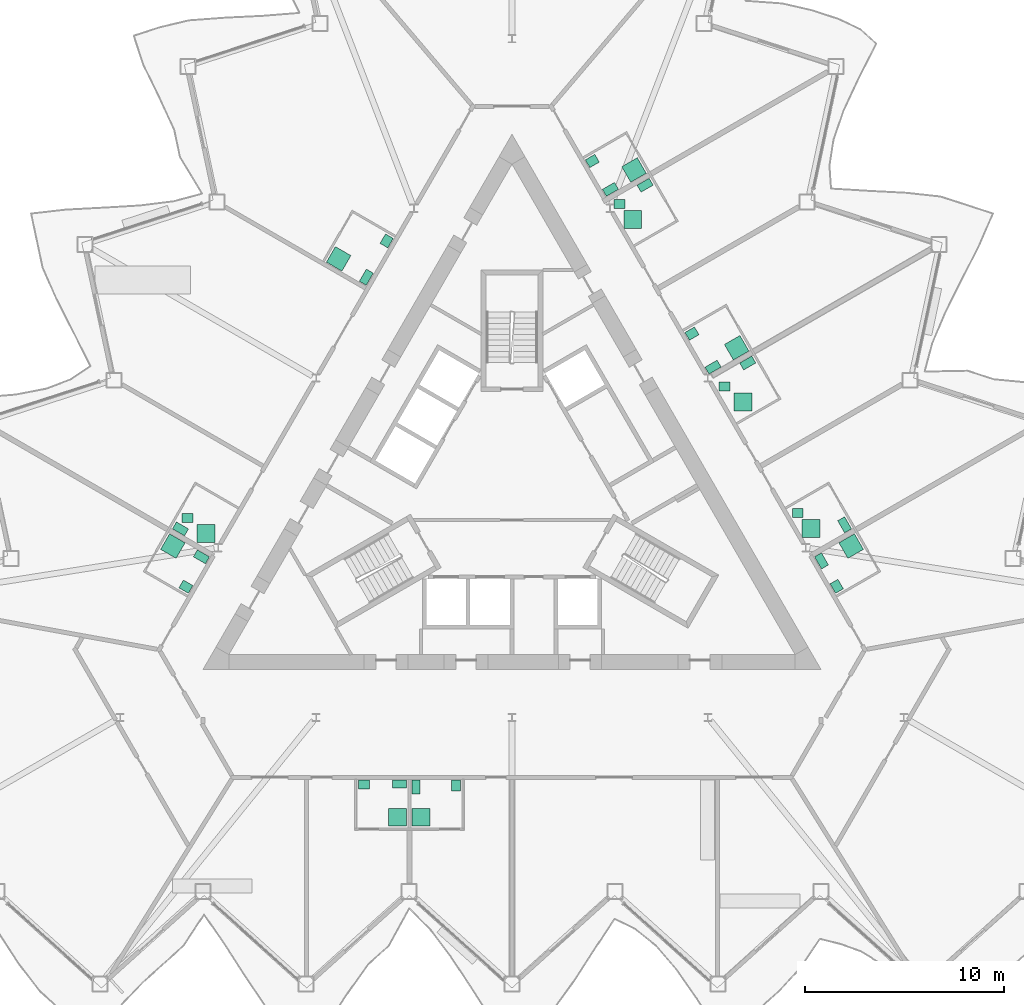
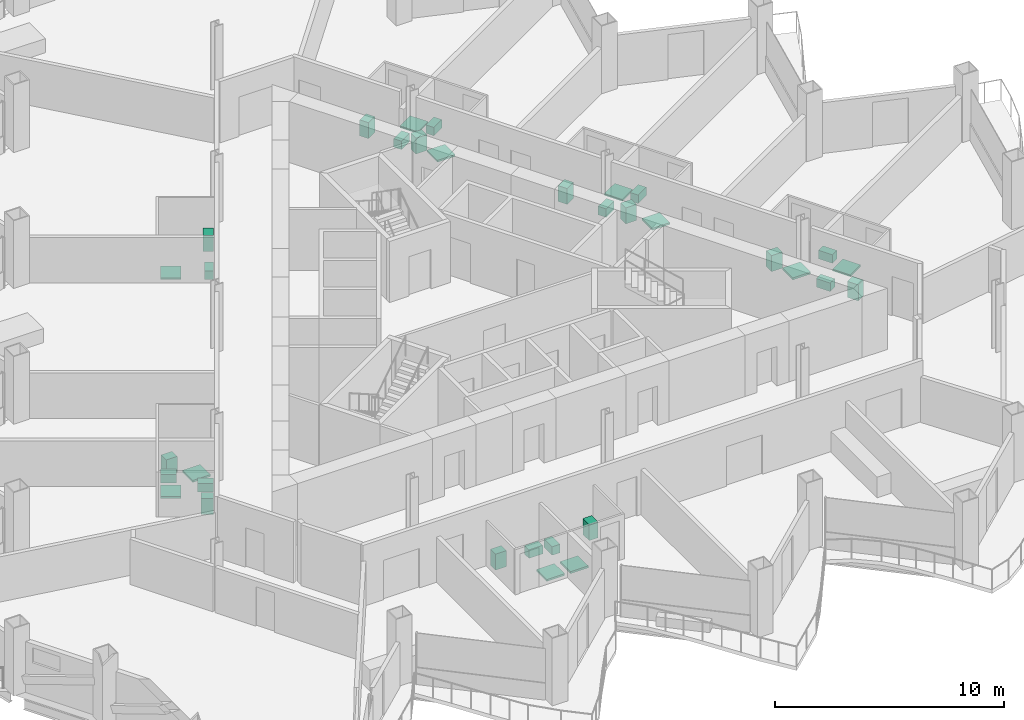
# One storey, part 23 of 24: 33 sanitary terminals.
"""IFC4 building model written with IfcOpenShell, lengths in metres."""

from ifc_helpers import new_model, si_unit, direction, frame, origin, origin_2d, place, context, subcontext, project, spatial, rectangle, extrude, material, type_object, element, save


model = new_model("IFC4")

# Units and contexts
model_context = context("Model", 3, precision=1e-05, world=origin(), true_north=direction((0.0, 1.0)))
body_context = subcontext(model_context, "Body", "Model", "MODEL_VIEW")
ifc_project = project(units=[si_unit("LENGTHUNIT", "METRE"), si_unit("AREAUNIT", "SQUARE_METRE"), si_unit("VOLUMEUNIT", "CUBIC_METRE"), si_unit("PLANEANGLEUNIT", "RADIAN"), si_unit("MASSUNIT", "GRAM", prefix="KILO")], contexts=[model_context])

# Site, building, storey
site_placement = place(None, origin())
site = spatial("IfcSite", under=ifc_project, at=site_placement, CompositionType="ELEMENT")
building_placement = place(site_placement, origin())
building = spatial("IfcBuilding", under=site, at=building_placement, Name="Cormorant Prow Tower", CompositionType="ELEMENT")
storey_placement = place(building_placement, frame((0.0, 0.0, 201.60009765625)))
storey = spatial("IfcBuildingStorey", under=building, at=storey_placement, Name="L44", CompositionType="ELEMENT", Elevation=201.60009765625)

# Sanitary terminals
ifc_material_1 = material(Name="Vitreous china")
sanitary_terminal_type_1 = type_object("IfcSanitaryTerminalType", Name="Shower tray 900x900", PredefinedType="SHOWER", material=ifc_material_1)
for number, where, z_axis, x_axis, name in (
    (1, (-5.742919921875, -16.35400390625, -0.000244140625), (0.0, 0.0, 1.0), (-1.0, 0.0, 0.0), "Shower tray"),
    (2, (-4.552978515625, -16.35400390625, -0.000244140625), (0.0, 0.0, 1.0), (0.0, 1.0, 0.0), "Shower tray"),
    (3, (17.010498046875, -2.7548828125, -0.000244140625), (0.0, 0.0, 1.0), (0.5, -0.866025403784, 0.0), "Shower tray"),
    (4, (15.00634765625, -1.8623046875, -0.000244140625), (0.0, 0.0, 1.0), (1.0, 0.0, 0.0), "Shower tray"),
    (5, (11.580078125, 4.466064453125, -0.000244140625), (0.0, 0.0, 1.0), (1.0, 0.0, 0.0), "Shower tray"),
    (6, (11.267333984375, 7.192138671875, -0.000244140625), (0.0, 0.0, 1.0), (-0.866025403784, -0.5, 0.0), "Shower tray"),
    (7, (6.055419921875, 13.632568359375, -0.000244140625), (0.0, 0.0, 1.0), (1.0, 0.0, 0.0), "Shower tray"),
    (8, (6.119384765625, 16.10888671875, -0.000244140625), (0.0, 0.0, 1.0), (-0.866025403784, -0.5, 0.0), "Shower tray"),
    (9, (-8.693359375, 11.650634765625, -0.000244140625), (0.0, 0.0, 1.0), (0.5, 0.866025403784, 0.0), "Shower tray"),
    (10, (-15.348388671875, -2.1123046875, -0.000244140625), (0.0, 0.0, 1.0), (1.0, 0.0, 0.0), "Shower tray"),
    (11, (-17.010498046875, -2.7548828125, -0.000244140625), (0.0, 0.0, 1.0), (0.866025403784, -0.5, 0.0), "Shower tray"),
):
    element("IfcSanitaryTerminal", number, at=place(storey_placement, frame(where, z_axis=z_axis, x_axis=x_axis)), inside=storey, type_object=sanitary_terminal_type_1, Name=name, PredefinedType="SHOWER", context=body_context, shape_type="SweptSolid", body=[
        extrude(rectangle(XDim=0.89990234375, YDim=0.89990234375, at=origin_2d()), origin(), (0.0, 0.0, 1.0), 0.10009765625),
    ])
ifc_material_2 = material(Name="Vitreous china")
sanitary_terminal_type_2 = type_object("IfcSanitaryTerminalType", Name="Wash basin 550x450", PredefinedType="WASHHANDBASIN", material=ifc_material_2)
for number, where, z_axis, x_axis, name in (
    (12, (-7.427978515625, -14.718994140625, -0.000244140625), (0.0, 0.0, 1.0), (1.0, 0.0, 0.0), "Wash basin"),
    (13, (-2.818115234375, -14.768798828125, -0.000244140625), (0.0, 0.0, 1.0), (0.0, -1.0, 0.0), "Wash basin"),
    (14, (16.286865234375, -4.77197265625, -0.000244140625), (0.0, 0.0, 1.0), (-0.5, 0.866025403784, 0.0), "Wash basin"),
    (15, (14.331298828125, -1.08740234375, -0.000244140625), (0.0, 0.0, 1.0), (1.0, 0.0, 0.0), "Wash basin"),
    (16, (10.6552734375, 5.240966796875, -0.000244140625), (0.0, 0.0, 1.0), (1.0, 0.0, 0.0), "Wash basin"),
    (17, (9.027099609375, 7.90234375, -0.000244140625), (0.0, 0.0, 1.0), (0.866025403784, 0.5, 0.0), "Wash basin"),
    (18, (5.380615234375, 14.40771484375, -0.000244140625), (0.0, 0.0, 1.0), (1.0, 0.0, 0.0), "Wash basin"),
    (19, (4.029296875, 16.55908203125, -0.000244140625), (0.0, 0.0, 1.0), (0.866025403784, 0.5, 0.0), "Wash basin"),
    (20, (-6.284912109375, 12.552001953125, -0.000244140625), (0.0, 0.0, 1.0), (-0.5, -0.866025403784, 0.0), "Wash basin"),
    (21, (-16.2734375, -1.33740234375, -0.000244140625), (0.0, 0.0, 1.0), (1.0, 0.0, 0.0), "Wash basin"),
    (22, (-16.355224609375, -4.790283203125, -0.000244140625), (0.0, 0.0, 1.0), (-0.866025403784, 0.5, 0.0), "Wash basin"),
):
    element("IfcSanitaryTerminal", number, at=place(storey_placement, frame(where, z_axis=z_axis, x_axis=x_axis)), inside=storey, type_object=sanitary_terminal_type_2, Name=name, PredefinedType="WASHHANDBASIN", context=body_context, shape_type="SweptSolid", body=[
        extrude(rectangle(XDim=0.550048828125, YDim=0.449951171875, at=origin_2d()), origin(), (0.0, 0.0, 1.0), 0.85009765625),
    ])
ifc_material_3 = material(Name="Vitreous china")
sanitary_terminal_type_3 = type_object("IfcSanitaryTerminalType", Name="Water closet 400x700", PredefinedType="WCSEAT", material=ifc_material_3)
for number, where, z_axis, x_axis, name in (
    (23, (-5.64306640625, -14.69384765625, 0.0), (0.0, 0.0, 1.0), (0.0, -1.0, 0.0), "Water closet"),
    (24, (-4.802978515625, -14.843994140625, 0.0), (0.0, 0.0, 1.0), (1.0, 0.0, 0.0), "Water closet"),
    (25, (15.522705078125, -3.498291015625, 0.0), (0.0, 0.0, 1.0), (0.866025403784, 0.5, 0.0), "Water closet"),
    (26, (16.681884765625, -1.68603515625, 0.0), (0.0, 0.0, 1.0), (-0.866025403784, -0.5, 0.0), "Water closet"),
    (27, (11.823974609375, 6.42822265625, 0.0), (0.0, 0.0, 1.0), (0.5, -0.866025403784, 0.0), "Water closet"),
    (28, (10.084716796875, 6.220703125, 0.0), (0.0, 0.0, 1.0), (-0.5, 0.866025403784, 0.0), "Water closet"),
    (29, (6.67578125, 15.3447265625, 0.0), (0.0, 0.0, 1.0), (0.5, -0.866025403784, 0.0), "Water closet"),
    (30, (4.9365234375, 15.137451171875, 0.0), (0.0, 0.0, 1.0), (-0.5, 0.866025403784, 0.0), "Water closet"),
    (31, (-7.3056640625, 10.73388671875, 0.0), (0.0, 0.0, 1.0), (-0.866025403784, 0.5, 0.0), "Water closet"),
    (32, (-16.626953125, -1.890869140625, 0.0), (0.0, 0.0, 1.0), (0.5, 0.866025403784, 0.0), "Water closet"),
    (33, (-15.57763671875, -3.29345703125, 0.0), (0.0, 0.0, 1.0), (-0.5, -0.866025403784, 0.0), "Water closet"),
):
    element("IfcSanitaryTerminal", number, at=place(storey_placement, frame(where, z_axis=z_axis, x_axis=x_axis)), inside=storey, type_object=sanitary_terminal_type_3, Name=name, PredefinedType="WCSEAT", context=body_context, shape_type="SweptSolid", body=[
        extrude(rectangle(XDim=0.39990234375, YDim=0.699951171875, at=origin_2d()), origin(), (0.0, 0.0, 1.0), 0.449951171875),
    ])

save(model, "model.ifc")
